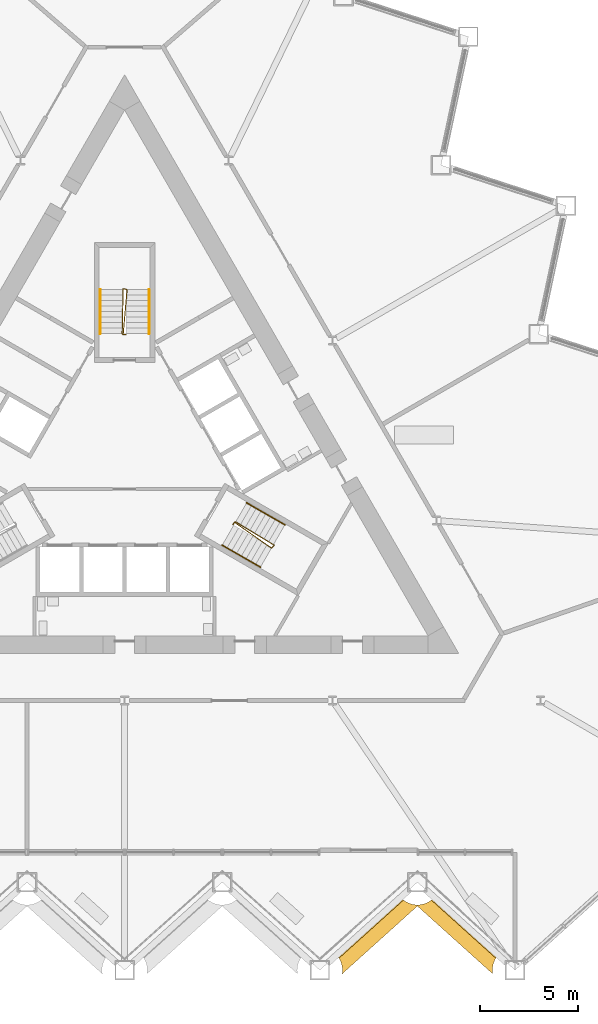
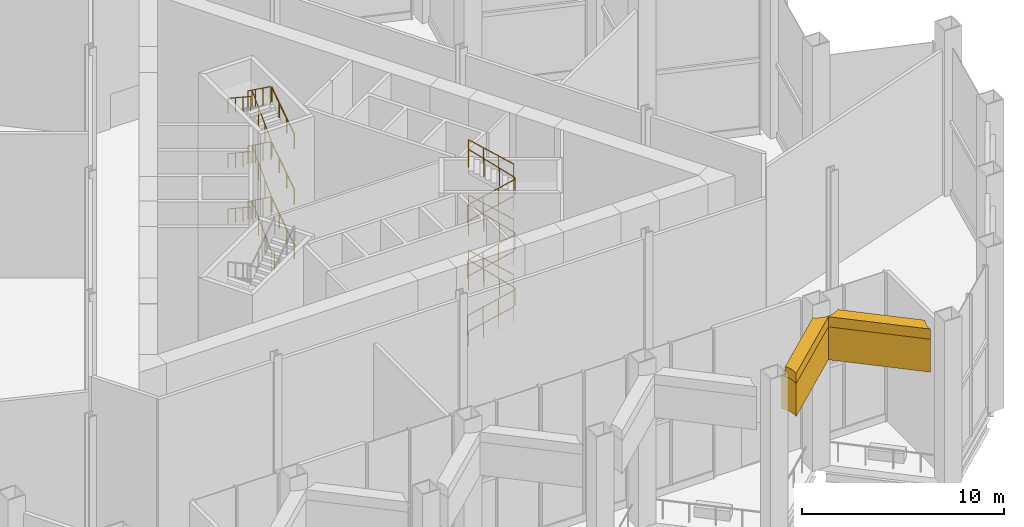
# One storey, part 15 of 17: 14 railings, 2 coverings.
"""IFC4 building model written with IfcOpenShell, lengths in metres."""

from ifc_helpers import new_model, si_unit, direction, frame, origin, origin_2d, place, context, subcontext, project, spatial, polyline, circle, outline, extrude, material, layer, layer_set, type_object, element, save


model = new_model("IFC4")

# Units and contexts
model_context = context("Model", 3, precision=1e-05, world=origin(), true_north=direction((0.0, 1.0)))
body_context = subcontext(model_context, "Body", "Model", "MODEL_VIEW")
ifc_project = project(units=[si_unit("LENGTHUNIT", "METRE"), si_unit("AREAUNIT", "SQUARE_METRE"), si_unit("VOLUMEUNIT", "CUBIC_METRE"), si_unit("PLANEANGLEUNIT", "RADIAN"), si_unit("MASSUNIT", "GRAM", prefix="KILO")], contexts=[model_context])

# Site, building, storey
site_placement = place(None, origin())
site = spatial("IfcSite", under=ifc_project, at=site_placement, CompositionType="ELEMENT")
building_placement = place(site_placement, origin())
building = spatial("IfcBuilding", under=site, at=building_placement, Name="Cormorant Prow Tower", CompositionType="ELEMENT")
storey_placement = place(building_placement, frame((0.0, 0.0, 84.60009765625)))
storey = spatial("IfcBuildingStorey", under=building, at=storey_placement, Name="L18", CompositionType="ELEMENT", Elevation=84.60009765625)

# Railings
ifc_material_1 = material(Name="Stainless steel", Category="steel")
railing_type_1 = type_object("IfcRailingType", Name="Stair guard 1100", PredefinedType="GUARDRAIL", material=ifc_material_1)
railing_1_placement = place(storey_placement, frame((5.510009765625, -3.267822265625, 0.0)))
element("IfcRailing", 1, at=railing_1_placement, inside=storey, type_object=railing_type_1, Name="L18 ST2 stair guard 1", PredefinedType="GUARDRAIL", context=body_context, shape_type="SweptSolid", body=[
    extrude(circle(Radius=0.02392578125, at=origin_2d()), frame((0.0, 0.0, 1.076171875), z_axis=(0.501036270542, 0.865426285481, 0.0), x_axis=(-0.865426285481, 0.501036270542, 0.0)), (0.0, 0.0, 1.0), 0.150146484375),
    extrude(circle(Radius=0.02392578125, at=origin_2d()), frame((0.0751953125, 0.1298828125, 1.076171875), z_axis=(0.663255151256, -0.464270006694, 0.586980378902), x_axis=(0.573455215813, 0.819236910458, 0.0)), (0.0, 0.0, 1.0), 2.839111328125),
    extrude(circle(Radius=0.02392578125, at=origin_2d()), frame((1.958251953125, -1.188232421875, 2.74267578125), z_axis=(0.695164929852, 0.718850276695, 0.0), x_axis=(-0.718850276695, 0.695164929852, 0.0)), (0.0, 0.0, 1.0), 0.2060546875),
    extrude(circle(Radius=0.02392578125, at=origin_2d()), frame((2.1015625, -1.0400390625, 2.74267578125), z_axis=(-0.69128044623, 0.419456667722, 0.588376961278), x_axis=(-0.518752825935, -0.854924268918, 0.0)), (0.0, 0.0, 1.0), 2.832763671875),
    extrude(circle(Radius=0.02392578125, at=origin_2d()), frame((0.143310546875, 0.148193359375, 4.4091796875), z_axis=(-0.965715946433, -0.259601060869, 0.0), x_axis=(0.259601060869, -0.965715946433, 0.0)), (0.0, 0.0, 1.0), 0.070556640625),
    extrude(circle(Radius=0.02392578125, at=origin_2d()), frame((0.0751953125, 0.1298828125, 4.4091796875), z_axis=(0.663221673184, -0.464246572478, 0.587036738341), x_axis=(0.573455215813, 0.819236910458, 0.0)), (0.0, 0.0, 1.0), 2.83935546875),
    extrude(circle(Radius=0.02392578125, at=origin_2d()), frame((1.958251953125, -1.188232421875, 6.076171875), z_axis=(0.695164929852, 0.718850276695, 0.0), x_axis=(-0.718850276695, 0.695164929852, 0.0)), (0.0, 0.0, 1.0), 0.2060546875),
    extrude(circle(Radius=0.02392578125, at=origin_2d()), frame((2.1015625, -1.0400390625, 6.076171875), z_axis=(-0.691315500176, 0.419477937833, 0.588320608927), x_axis=(-0.518752825935, -0.854924268918, 0.0)), (0.0, 0.0, 1.0), 2.832763671875),
    extrude(circle(Radius=0.02392578125, at=origin_2d()), frame((0.143310546875, 0.148193359375, 7.74267578125), z_axis=(-0.965715946433, -0.259601060869, 0.0), x_axis=(0.259601060869, -0.965715946433, 0.0)), (0.0, 0.0, 1.0), 0.070556640625),
    extrude(circle(Radius=0.02392578125, at=origin_2d()), frame((0.0751953125, 0.1298828125, 7.74267578125), z_axis=(0.663221673184, -0.464246572478, 0.587036738341), x_axis=(0.573455215813, 0.819236910458, 0.0)), (0.0, 0.0, 1.0), 2.83935546875),
    extrude(circle(Radius=0.02392578125, at=origin_2d()), frame((1.958251953125, -1.188232421875, 9.4091796875), z_axis=(0.695164929852, 0.718850276695, 0.0), x_axis=(-0.718850276695, 0.695164929852, 0.0)), (0.0, 0.0, 1.0), 0.2060546875),
    extrude(circle(Radius=0.02392578125, at=origin_2d()), frame((2.1015625, -1.0400390625, 9.4091796875), z_axis=(-0.69128044623, 0.419456667722, 0.588376961278), x_axis=(-0.518752825935, -0.854924268918, 0.0)), (0.0, 0.0, 1.0), 2.832763671875),
    extrude(circle(Radius=0.02099609375, at=origin_2d()), origin(), (0.0, 0.0, 1.0), 1.052001953125),
    extrude(circle(Radius=0.02099609375, at=origin_2d()), frame((0.0751953125, 0.1298828125, 0.0)), (0.0, 0.0, 1.0), 1.052001953125),
    extrude(circle(Radius=0.02099609375, at=origin_2d()), frame((0.702880859375, -0.3095703125, 0.555419921875)), (0.0, 0.0, 1.0), 1.052001953125),
    extrude(circle(Radius=0.02099609375, at=origin_2d()), frame((1.33056640625, -0.748779296875, 1.111083984375)), (0.0, 0.0, 1.0), 1.052001953125),
    extrude(circle(Radius=0.02099609375, at=origin_2d()), frame((1.958251953125, -1.188232421875, 1.66650390625)), (0.0, 0.0, 1.0), 1.052001953125),
    extrude(circle(Radius=0.02099609375, at=origin_2d()), frame((2.1015625, -1.0400390625, 1.66650390625)), (0.0, 0.0, 1.0), 1.052001953125),
    extrude(circle(Radius=0.02099609375, at=origin_2d()), frame((1.44873046875, -0.64404296875, 2.22216796875)), (0.0, 0.0, 1.0), 1.052001953125),
    extrude(circle(Radius=0.02099609375, at=origin_2d()), frame((0.796142578125, -0.247802734375, 2.777587890625)), (0.0, 0.0, 1.0), 1.052001953125),
    extrude(circle(Radius=0.02099609375, at=origin_2d()), frame((0.143310546875, 0.148193359375, 3.333251953125)), (0.0, 0.0, 1.0), 1.052001953125),
    extrude(circle(Radius=0.02099609375, at=origin_2d()), frame((0.0751953125, 0.1298828125, 3.333251953125)), (0.0, 0.0, 1.0), 1.052001953125),
    extrude(circle(Radius=0.02099609375, at=origin_2d()), frame((0.702880859375, -0.3095703125, 3.888916015625)), (0.0, 0.0, 1.0), 1.052001953125),
    extrude(circle(Radius=0.02099609375, at=origin_2d()), frame((1.33056640625, -0.748779296875, 4.4443359375)), (0.0, 0.0, 1.0), 1.052001953125),
    extrude(circle(Radius=0.02099609375, at=origin_2d()), frame((1.958251953125, -1.188232421875, 5.0)), (0.0, 0.0, 1.0), 1.052001953125),
    extrude(circle(Radius=0.02099609375, at=origin_2d()), frame((2.1015625, -1.0400390625, 5.0)), (0.0, 0.0, 1.0), 1.052001953125),
    extrude(circle(Radius=0.02099609375, at=origin_2d()), frame((1.44873046875, -0.64404296875, 5.555419921875)), (0.0, 0.0, 1.0), 1.052001953125),
    extrude(circle(Radius=0.02099609375, at=origin_2d()), frame((0.796142578125, -0.247802734375, 6.111083984375)), (0.0, 0.0, 1.0), 1.052001953125),
    extrude(circle(Radius=0.02099609375, at=origin_2d()), frame((0.143310546875, 0.148193359375, 6.66650390625)), (0.0, 0.0, 1.0), 1.052001953125),
    extrude(circle(Radius=0.02099609375, at=origin_2d()), frame((0.0751953125, 0.1298828125, 6.66650390625)), (0.0, 0.0, 1.0), 1.052001953125),
    extrude(circle(Radius=0.02099609375, at=origin_2d()), frame((0.702880859375, -0.3095703125, 7.22216796875)), (0.0, 0.0, 1.0), 1.052001953125),
    extrude(circle(Radius=0.02099609375, at=origin_2d()), frame((1.33056640625, -0.748779296875, 7.777587890625)), (0.0, 0.0, 1.0), 1.052001953125),
    extrude(circle(Radius=0.02099609375, at=origin_2d()), frame((1.958251953125, -1.188232421875, 8.333251953125)), (0.0, 0.0, 1.0), 1.052001953125),
    extrude(circle(Radius=0.02099609375, at=origin_2d()), frame((2.1015625, -1.0400390625, 8.333251953125)), (0.0, 0.0, 1.0), 1.052001953125),
    extrude(circle(Radius=0.02099609375, at=origin_2d()), frame((1.44873046875, -0.64404296875, 8.888916015625)), (0.0, 0.0, 1.0), 1.052001953125),
    extrude(circle(Radius=0.02099609375, at=origin_2d()), frame((0.796142578125, -0.247802734375, 9.4443359375)), (0.0, 0.0, 1.0), 1.052001953125),
    extrude(circle(Radius=0.02099609375, at=origin_2d()), frame((0.143310546875, 0.148193359375, 10.0)), (0.0, 0.0, 1.0), 1.052001953125),
])
railing_2_placement = place(storey_placement, frame((0.074951171875, 6.40576171875, 0.0)))
element("IfcRailing", 2, at=railing_2_placement, inside=storey, type_object=railing_type_1, Name="L18 ST3 stair guard 1", PredefinedType="GUARDRAIL", context=body_context, shape_type="SweptSolid", body=[
    extrude(circle(Radius=0.02392578125, at=origin_2d()), frame((0.0, 0.0, 1.076171875), z_axis=(-1.0, 0.0, 0.0), x_axis=(0.0, -1.0, 0.0)), (0.0, 0.0, 1.0), 0.14990234375),
    extrude(circle(Radius=0.02392578125, at=origin_2d()), frame((-0.14990234375, 0.0, 1.076171875), z_axis=(0.070423267043, 0.80655707553, 0.586946545583), x_axis=(-0.996209839609, 0.086982500921, 0.0)), (0.0, 0.0, 1.0), 2.83935546875),
    extrude(circle(Radius=0.02392578125, at=origin_2d()), frame((0.050048828125, 2.2900390625, 2.74267578125), z_axis=(-0.970072785993, 0.242814311512, 0.0), x_axis=(-0.242814311512, -0.970072785993, 0.0)), (0.0, 0.0, 1.0), 0.2060546875),
    extrude(circle(Radius=0.02392578125, at=origin_2d()), frame((-0.14990234375, 2.340087890625, 2.74267578125), z_axis=(-0.017667533181, -0.80839737189, 0.58837194647), x_axis=(0.999761264773, -0.0218497931, 0.0)), (0.0, 0.0, 1.0), 2.832763671875),
    extrude(circle(Radius=0.02392578125, at=origin_2d()), frame((-0.199951171875, 0.050048828125, 4.4091796875), z_axis=(0.707106781187, -0.707106781187, 0.0), x_axis=(0.707106781187, 0.707106781187, 0.0)), (0.0, 0.0, 1.0), 0.07080078125),
    extrude(circle(Radius=0.02392578125, at=origin_2d()), frame((-0.14990234375, 0.0, 4.4091796875), z_axis=(0.070419712809, 0.806516368928, 0.587002905189), x_axis=(-0.996209839609, 0.086982500921, 0.0)), (0.0, 0.0, 1.0), 2.83935546875),
    extrude(circle(Radius=0.02392578125, at=origin_2d()), frame((0.050048828125, 2.2900390625, 6.076171875), z_axis=(-0.970072785993, 0.242814311512, 0.0), x_axis=(-0.242814311512, -0.970072785993, 0.0)), (0.0, 0.0, 1.0), 0.2060546875),
    extrude(circle(Radius=0.02392578125, at=origin_2d()), frame((-0.14990234375, 2.340087890625, 6.076171875), z_axis=(-0.017668429064, -0.808438363986, 0.58831559409), x_axis=(0.999761264773, -0.0218497931, 0.0)), (0.0, 0.0, 1.0), 2.832763671875),
    extrude(circle(Radius=0.02392578125, at=origin_2d()), frame((-0.199951171875, 0.050048828125, 7.74267578125), z_axis=(0.707106781187, -0.707106781187, 0.0), x_axis=(0.707106781187, 0.707106781187, 0.0)), (0.0, 0.0, 1.0), 0.07080078125),
    extrude(circle(Radius=0.02392578125, at=origin_2d()), frame((-0.14990234375, 0.0, 7.74267578125), z_axis=(0.070419712809, 0.806516368928, 0.587002905189), x_axis=(-0.996209839609, 0.086982500921, 0.0)), (0.0, 0.0, 1.0), 2.83935546875),
    extrude(circle(Radius=0.02392578125, at=origin_2d()), frame((0.050048828125, 2.2900390625, 9.4091796875), z_axis=(-0.970072785993, 0.242814311512, 0.0), x_axis=(-0.242814311512, -0.970072785993, 0.0)), (0.0, 0.0, 1.0), 0.2060546875),
    extrude(circle(Radius=0.02392578125, at=origin_2d()), frame((-0.14990234375, 2.340087890625, 9.4091796875), z_axis=(-0.017667533181, -0.80839737189, 0.58837194647), x_axis=(0.999761264773, -0.0218497931, 0.0)), (0.0, 0.0, 1.0), 2.832763671875),
    extrude(circle(Radius=0.02099609375, at=origin_2d()), origin(), (0.0, 0.0, 1.0), 1.052001953125),
    extrude(circle(Radius=0.02099609375, at=origin_2d()), frame((-0.14990234375, 0.0, 0.0)), (0.0, 0.0, 1.0), 1.052001953125),
    extrude(circle(Radius=0.02099609375, at=origin_2d()), frame((-0.083251953125, 0.763427734375, 0.555419921875)), (0.0, 0.0, 1.0), 1.052001953125),
    extrude(circle(Radius=0.02099609375, at=origin_2d()), frame((-0.0166015625, 1.526611328125, 1.111083984375)), (0.0, 0.0, 1.0), 1.052001953125),
    extrude(circle(Radius=0.02099609375, at=origin_2d()), frame((0.050048828125, 2.2900390625, 1.66650390625)), (0.0, 0.0, 1.0), 1.052001953125),
    extrude(circle(Radius=0.02099609375, at=origin_2d()), frame((-0.14990234375, 2.340087890625, 1.66650390625)), (0.0, 0.0, 1.0), 1.052001953125),
    extrude(circle(Radius=0.02099609375, at=origin_2d()), frame((-0.16650390625, 1.57666015625, 2.22216796875)), (0.0, 0.0, 1.0), 1.052001953125),
    extrude(circle(Radius=0.02099609375, at=origin_2d()), frame((-0.183349609375, 0.8134765625, 2.777587890625)), (0.0, 0.0, 1.0), 1.052001953125),
    extrude(circle(Radius=0.02099609375, at=origin_2d()), frame((-0.199951171875, 0.050048828125, 3.333251953125)), (0.0, 0.0, 1.0), 1.052001953125),
    extrude(circle(Radius=0.02099609375, at=origin_2d()), frame((-0.14990234375, 0.0, 3.333251953125)), (0.0, 0.0, 1.0), 1.052001953125),
    extrude(circle(Radius=0.02099609375, at=origin_2d()), frame((-0.083251953125, 0.763427734375, 3.888916015625)), (0.0, 0.0, 1.0), 1.052001953125),
    extrude(circle(Radius=0.02099609375, at=origin_2d()), frame((-0.0166015625, 1.526611328125, 4.4443359375)), (0.0, 0.0, 1.0), 1.052001953125),
    extrude(circle(Radius=0.02099609375, at=origin_2d()), frame((0.050048828125, 2.2900390625, 5.0)), (0.0, 0.0, 1.0), 1.052001953125),
    extrude(circle(Radius=0.02099609375, at=origin_2d()), frame((-0.14990234375, 2.340087890625, 5.0)), (0.0, 0.0, 1.0), 1.052001953125),
    extrude(circle(Radius=0.02099609375, at=origin_2d()), frame((-0.16650390625, 1.57666015625, 5.555419921875)), (0.0, 0.0, 1.0), 1.052001953125),
    extrude(circle(Radius=0.02099609375, at=origin_2d()), frame((-0.183349609375, 0.8134765625, 6.111083984375)), (0.0, 0.0, 1.0), 1.052001953125),
    extrude(circle(Radius=0.02099609375, at=origin_2d()), frame((-0.199951171875, 0.050048828125, 6.66650390625)), (0.0, 0.0, 1.0), 1.052001953125),
    extrude(circle(Radius=0.02099609375, at=origin_2d()), frame((-0.14990234375, 0.0, 6.66650390625)), (0.0, 0.0, 1.0), 1.052001953125),
    extrude(circle(Radius=0.02099609375, at=origin_2d()), frame((-0.083251953125, 0.763427734375, 7.22216796875)), (0.0, 0.0, 1.0), 1.052001953125),
    extrude(circle(Radius=0.02099609375, at=origin_2d()), frame((-0.0166015625, 1.526611328125, 7.777587890625)), (0.0, 0.0, 1.0), 1.052001953125),
    extrude(circle(Radius=0.02099609375, at=origin_2d()), frame((0.050048828125, 2.2900390625, 8.333251953125)), (0.0, 0.0, 1.0), 1.052001953125),
    extrude(circle(Radius=0.02099609375, at=origin_2d()), frame((-0.14990234375, 2.340087890625, 8.333251953125)), (0.0, 0.0, 1.0), 1.052001953125),
    extrude(circle(Radius=0.02099609375, at=origin_2d()), frame((-0.16650390625, 1.57666015625, 8.888916015625)), (0.0, 0.0, 1.0), 1.052001953125),
    extrude(circle(Radius=0.02099609375, at=origin_2d()), frame((-0.183349609375, 0.8134765625, 9.4443359375)), (0.0, 0.0, 1.0), 1.052001953125),
    extrude(circle(Radius=0.02099609375, at=origin_2d()), frame((-0.199951171875, 0.050048828125, 10.0)), (0.0, 0.0, 1.0), 1.052001953125),
])
ifc_material_2 = material(Name="Stainless steel", Category="steel")
railing_type_2 = type_object("IfcRailingType", Name="Stair handrail 900", PredefinedType="HANDRAIL", material=ifc_material_2)
railing_3_placement = place(storey_placement, frame((4.968994140625, -4.30517578125, 0.18505859375)))
element("IfcRailing", 3, at=railing_3_placement, inside=storey, type_object=railing_type_2, Name="L18 ST2 stair handrail 1", PredefinedType="HANDRAIL", context=body_context, shape_type="SweptSolid", body=[
    extrude(circle(Radius=0.02392578125, at=origin_2d()), frame((0.0, 0.0, 0.8759765625), z_axis=(0.72229244732, -0.417102296828, 0.551651424838), x_axis=(0.500077830873, 0.865980463445, 0.0)), (0.0, 0.0, 1.0), 2.685546875),
    extrude(circle(Radius=0.02099609375, at=origin_2d()), origin(), (0.0, 0.0, 1.0), 0.851806640625),
    extrude(circle(Radius=0.02099609375, at=origin_2d()), frame((0.646484375, -0.373291015625, 0.493896484375)), (0.0, 0.0, 1.0), 0.851806640625),
    extrude(circle(Radius=0.02099609375, at=origin_2d()), frame((1.293212890625, -0.746826171875, 0.987548828125)), (0.0, 0.0, 1.0), 0.851806640625),
    extrude(circle(Radius=0.02099609375, at=origin_2d()), frame((1.939697265625, -1.1201171875, 1.4814453125)), (0.0, 0.0, 1.0), 0.851806640625),
])
railing_4_placement = place(storey_placement, frame((8.15283203125, -3.2705078125, 1.851806640625)))
element("IfcRailing", 4, at=railing_4_placement, inside=storey, type_object=railing_type_2, Name="L18 ST2 stair handrail 2", PredefinedType="HANDRAIL", context=body_context, shape_type="SweptSolid", body=[
    extrude(circle(Radius=0.02392578125, at=origin_2d()), frame((0.0, 0.0, 0.8759765625), z_axis=(-0.722363311002, 0.416999812178, 0.551636115172), x_axis=(-0.49994888933, -0.866054910533, 0.0)), (0.0, 0.0, 1.0), 2.685546875),
    extrude(circle(Radius=0.02099609375, at=origin_2d()), origin(), (0.0, 0.0, 1.0), 0.851806640625),
    extrude(circle(Radius=0.02099609375, at=origin_2d()), frame((-0.646728515625, 0.373291015625, 0.493896484375)), (0.0, 0.0, 1.0), 0.851806640625),
    extrude(circle(Radius=0.02099609375, at=origin_2d()), frame((-1.293212890625, 0.74658203125, 0.987548828125)), (0.0, 0.0, 1.0), 0.851806640625),
    extrude(circle(Radius=0.02099609375, at=origin_2d()), frame((-1.93994140625, 1.119873046875, 1.4814453125)), (0.0, 0.0, 1.0), 0.851806640625),
])
railing_5_placement = place(storey_placement, frame((4.968994140625, -4.30517578125, 3.518310546875)))
element("IfcRailing", 5, at=railing_5_placement, inside=storey, type_object=railing_type_2, Name="L18 ST2 stair handrail 3", PredefinedType="HANDRAIL", context=body_context, shape_type="SweptSolid", body=[
    extrude(circle(Radius=0.02392578125, at=origin_2d()), frame((0.0, 0.0, 0.8759765625), z_axis=(0.722256223011, -0.417081378373, 0.551714665507), x_axis=(0.500077830873, 0.865980463445, 0.0)), (0.0, 0.0, 1.0), 2.685546875),
    extrude(circle(Radius=0.02099609375, at=origin_2d()), origin(), (0.0, 0.0, 1.0), 0.851806640625),
    extrude(circle(Radius=0.02099609375, at=origin_2d()), frame((0.646484375, -0.373291015625, 0.493896484375)), (0.0, 0.0, 1.0), 0.851806640625),
    extrude(circle(Radius=0.02099609375, at=origin_2d()), frame((1.293212890625, -0.746826171875, 0.98779296875)), (0.0, 0.0, 1.0), 0.851806640625),
    extrude(circle(Radius=0.02099609375, at=origin_2d()), frame((1.939697265625, -1.1201171875, 1.481689453125)), (0.0, 0.0, 1.0), 0.851806640625),
])
railing_6_placement = place(storey_placement, frame((8.15283203125, -3.2705078125, 5.18505859375)))
element("IfcRailing", 6, at=railing_6_placement, inside=storey, type_object=railing_type_2, Name="L18 ST2 stair handrail 4", PredefinedType="HANDRAIL", context=body_context, shape_type="SweptSolid", body=[
    extrude(circle(Radius=0.02392578125, at=origin_2d()), frame((0.0, 0.0, 0.8759765625), z_axis=(-0.722363311002, 0.416999812178, 0.551636115172), x_axis=(-0.49994888933, -0.866054910533, 0.0)), (0.0, 0.0, 1.0), 2.685546875),
    extrude(circle(Radius=0.02099609375, at=origin_2d()), origin(), (0.0, 0.0, 1.0), 0.851806640625),
    extrude(circle(Radius=0.02099609375, at=origin_2d()), frame((-0.646728515625, 0.373291015625, 0.493896484375)), (0.0, 0.0, 1.0), 0.851806640625),
    extrude(circle(Radius=0.02099609375, at=origin_2d()), frame((-1.293212890625, 0.74658203125, 0.987548828125)), (0.0, 0.0, 1.0), 0.851806640625),
    extrude(circle(Radius=0.02099609375, at=origin_2d()), frame((-1.93994140625, 1.119873046875, 1.4814453125)), (0.0, 0.0, 1.0), 0.851806640625),
])
railing_7_placement = place(storey_placement, frame((4.968994140625, -4.30517578125, 6.851806640625)))
element("IfcRailing", 7, at=railing_7_placement, inside=storey, type_object=railing_type_2, Name="L18 ST2 stair handrail 5", PredefinedType="HANDRAIL", context=body_context, shape_type="SweptSolid", body=[
    extrude(circle(Radius=0.02392578125, at=origin_2d()), frame((0.0, 0.0, 0.8759765625), z_axis=(0.72229244732, -0.417102296828, 0.551651424838), x_axis=(0.500077830873, 0.865980463445, 0.0)), (0.0, 0.0, 1.0), 2.685546875),
    extrude(circle(Radius=0.02099609375, at=origin_2d()), origin(), (0.0, 0.0, 1.0), 0.851806640625),
    extrude(circle(Radius=0.02099609375, at=origin_2d()), frame((0.646484375, -0.373291015625, 0.493896484375)), (0.0, 0.0, 1.0), 0.851806640625),
    extrude(circle(Radius=0.02099609375, at=origin_2d()), frame((1.293212890625, -0.746826171875, 0.987548828125)), (0.0, 0.0, 1.0), 0.851806640625),
    extrude(circle(Radius=0.02099609375, at=origin_2d()), frame((1.939697265625, -1.1201171875, 1.4814453125)), (0.0, 0.0, 1.0), 0.851806640625),
])
railing_8_placement = place(storey_placement, frame((8.15283203125, -3.2705078125, 8.518310546875)))
element("IfcRailing", 8, at=railing_8_placement, inside=storey, type_object=railing_type_2, Name="L18 ST2 stair handrail 6", PredefinedType="HANDRAIL", context=body_context, shape_type="SweptSolid", body=[
    extrude(circle(Radius=0.02392578125, at=origin_2d()), frame((0.0, 0.0, 0.8759765625), z_axis=(-0.72232708515, 0.416978900023, 0.551699355622), x_axis=(-0.49994888933, -0.866054910533, 0.0)), (0.0, 0.0, 1.0), 2.685791015625),
    extrude(circle(Radius=0.02099609375, at=origin_2d()), origin(), (0.0, 0.0, 1.0), 0.851806640625),
    extrude(circle(Radius=0.02099609375, at=origin_2d()), frame((-0.646728515625, 0.373291015625, 0.493896484375)), (0.0, 0.0, 1.0), 0.851806640625),
    extrude(circle(Radius=0.02099609375, at=origin_2d()), frame((-1.293212890625, 0.74658203125, 0.98779296875)), (0.0, 0.0, 1.0), 0.851806640625),
    extrude(circle(Radius=0.02099609375, at=origin_2d()), frame((-1.93994140625, 1.119873046875, 1.481689453125)), (0.0, 0.0, 1.0), 0.851806640625),
])
railing_9_placement = place(storey_placement, frame((1.243896484375, 6.455810546875, 0.18505859375)))
element("IfcRailing", 9, at=railing_9_placement, inside=storey, type_object=railing_type_2, Name="L18 ST3 stair handrail 1", PredefinedType="HANDRAIL", context=body_context, shape_type="SweptSolid", body=[
    extrude(circle(Radius=0.02392578125, at=origin_2d()), frame((0.0, 0.0, 0.8759765625), z_axis=(0.0, 0.83408660425, 0.551633516577), x_axis=(-1.0, 0.0, 0.0)), (0.0, 0.0, 1.0), 2.685546875),
    extrude(circle(Radius=0.02099609375, at=origin_2d()), origin(), (0.0, 0.0, 1.0), 0.851806640625),
    extrude(circle(Radius=0.02099609375, at=origin_2d()), frame((0.0, 0.74658203125, 0.493896484375)), (0.0, 0.0, 1.0), 0.851806640625),
    extrude(circle(Radius=0.02099609375, at=origin_2d()), frame((0.0, 1.493408203125, 0.987548828125)), (0.0, 0.0, 1.0), 0.851806640625),
    extrude(circle(Radius=0.02099609375, at=origin_2d()), frame((0.0, 2.239990234375, 1.4814453125)), (0.0, 0.0, 1.0), 0.851806640625),
])
railing_10_placement = place(storey_placement, frame((-1.243896484375, 8.69580078125, 1.851806640625)))
element("IfcRailing", 10, at=railing_10_placement, inside=storey, type_object=railing_type_2, Name="L18 ST3 stair handrail 2", PredefinedType="HANDRAIL", context=body_context, shape_type="SweptSolid", body=[
    extrude(circle(Radius=0.02392578125, at=origin_2d()), frame((0.0, 0.0, 0.8759765625), z_axis=(0.0, -0.83408660425, 0.551633516577), x_axis=(1.0, 0.0, 0.0)), (0.0, 0.0, 1.0), 2.685546875),
    extrude(circle(Radius=0.02099609375, at=origin_2d()), origin(), (0.0, 0.0, 1.0), 0.851806640625),
    extrude(circle(Radius=0.02099609375, at=origin_2d()), frame((0.0, -0.74658203125, 0.493896484375)), (0.0, 0.0, 1.0), 0.851806640625),
    extrude(circle(Radius=0.02099609375, at=origin_2d()), frame((0.0, -1.493408203125, 0.987548828125)), (0.0, 0.0, 1.0), 0.851806640625),
    extrude(circle(Radius=0.02099609375, at=origin_2d()), frame((0.0, -2.239990234375, 1.4814453125)), (0.0, 0.0, 1.0), 0.851806640625),
])
railing_11_placement = place(storey_placement, frame((1.243896484375, 6.455810546875, 3.518310546875)))
element("IfcRailing", 11, at=railing_11_placement, inside=storey, type_object=railing_type_2, Name="L18 ST3 stair handrail 3", PredefinedType="HANDRAIL", context=body_context, shape_type="SweptSolid", body=[
    extrude(circle(Radius=0.02392578125, at=origin_2d()), frame((0.0, 0.0, 0.8759765625), z_axis=(0.0, 0.834044775973, 0.551696756989), x_axis=(-1.0, 0.0, 0.0)), (0.0, 0.0, 1.0), 2.685791015625),
    extrude(circle(Radius=0.02099609375, at=origin_2d()), origin(), (0.0, 0.0, 1.0), 0.851806640625),
    extrude(circle(Radius=0.02099609375, at=origin_2d()), frame((0.0, 0.74658203125, 0.493896484375)), (0.0, 0.0, 1.0), 0.851806640625),
    extrude(circle(Radius=0.02099609375, at=origin_2d()), frame((0.0, 1.493408203125, 0.98779296875)), (0.0, 0.0, 1.0), 0.851806640625),
    extrude(circle(Radius=0.02099609375, at=origin_2d()), frame((0.0, 2.239990234375, 1.481689453125)), (0.0, 0.0, 1.0), 0.851806640625),
])
railing_12_placement = place(storey_placement, frame((-1.243896484375, 8.69580078125, 5.18505859375)))
element("IfcRailing", 12, at=railing_12_placement, inside=storey, type_object=railing_type_2, Name="L18 ST3 stair handrail 4", PredefinedType="HANDRAIL", context=body_context, shape_type="SweptSolid", body=[
    extrude(circle(Radius=0.02392578125, at=origin_2d()), frame((0.0, 0.0, 0.8759765625), z_axis=(0.0, -0.83408660425, 0.551633516577), x_axis=(1.0, 0.0, 0.0)), (0.0, 0.0, 1.0), 2.685546875),
    extrude(circle(Radius=0.02099609375, at=origin_2d()), origin(), (0.0, 0.0, 1.0), 0.851806640625),
    extrude(circle(Radius=0.02099609375, at=origin_2d()), frame((0.0, -0.74658203125, 0.493896484375)), (0.0, 0.0, 1.0), 0.851806640625),
    extrude(circle(Radius=0.02099609375, at=origin_2d()), frame((0.0, -1.493408203125, 0.987548828125)), (0.0, 0.0, 1.0), 0.851806640625),
    extrude(circle(Radius=0.02099609375, at=origin_2d()), frame((0.0, -2.239990234375, 1.4814453125)), (0.0, 0.0, 1.0), 0.851806640625),
])
railing_13_placement = place(storey_placement, frame((1.243896484375, 6.455810546875, 6.851806640625)))
element("IfcRailing", 13, at=railing_13_placement, inside=storey, type_object=railing_type_2, Name="L18 ST3 stair handrail 5", PredefinedType="HANDRAIL", context=body_context, shape_type="SweptSolid", body=[
    extrude(circle(Radius=0.02392578125, at=origin_2d()), frame((0.0, 0.0, 0.8759765625), z_axis=(0.0, 0.83408660425, 0.551633516577), x_axis=(-1.0, 0.0, 0.0)), (0.0, 0.0, 1.0), 2.685546875),
    extrude(circle(Radius=0.02099609375, at=origin_2d()), origin(), (0.0, 0.0, 1.0), 0.851806640625),
    extrude(circle(Radius=0.02099609375, at=origin_2d()), frame((0.0, 0.74658203125, 0.493896484375)), (0.0, 0.0, 1.0), 0.851806640625),
    extrude(circle(Radius=0.02099609375, at=origin_2d()), frame((0.0, 1.493408203125, 0.987548828125)), (0.0, 0.0, 1.0), 0.851806640625),
    extrude(circle(Radius=0.02099609375, at=origin_2d()), frame((0.0, 2.239990234375, 1.4814453125)), (0.0, 0.0, 1.0), 0.851806640625),
])
railing_14_placement = place(storey_placement, frame((-1.243896484375, 8.69580078125, 8.518310546875)))
element("IfcRailing", 14, at=railing_14_placement, inside=storey, type_object=railing_type_2, Name="L18 ST3 stair handrail 6", PredefinedType="HANDRAIL", context=body_context, shape_type="SweptSolid", body=[
    extrude(circle(Radius=0.02392578125, at=origin_2d()), frame((0.0, 0.0, 0.8759765625), z_axis=(0.0, -0.834044775973, 0.551696756989), x_axis=(1.0, 0.0, 0.0)), (0.0, 0.0, 1.0), 2.685791015625),
    extrude(circle(Radius=0.02099609375, at=origin_2d()), origin(), (0.0, 0.0, 1.0), 0.851806640625),
    extrude(circle(Radius=0.02099609375, at=origin_2d()), frame((0.0, -0.74658203125, 0.493896484375)), (0.0, 0.0, 1.0), 0.851806640625),
    extrude(circle(Radius=0.02099609375, at=origin_2d()), frame((0.0, -1.493408203125, 0.98779296875)), (0.0, 0.0, 1.0), 0.851806640625),
    extrude(circle(Radius=0.02099609375, at=origin_2d()), frame((0.0, -2.239990234375, 1.481689453125)), (0.0, 0.0, 1.0), 0.851806640625),
])

# Coverings
ifc_material_3 = material(Name="Terracotta", Category="masonry")
ifc_layer = layer(ifc_material_3, 0.89990234375)
ifc_layer_set = layer_set([ifc_layer], Name="Terracotta")
covering_type = type_object("IfcCoveringType", Name="Terrace lintel fascia 900", PredefinedType="CLADDING", material=ifc_layer_set)
covering_1_placement = place(storey_placement, frame((0.0, 0.0, 7.0)))
element("IfcCovering", 15, at=covering_1_placement, inside=storey, type_object=covering_type, Name="Terrace lintel L18 part 2", PredefinedType="CLADDING", context=body_context, shape_type="SweptSolid", body=[
    extrude(outline(polyline([(14.044677734375, -22.228515625), (14.0849609375, -22.273193359375), (14.168701171875, -22.348876953125), (14.25927734375, -22.416015625), (14.356201171875, -22.47412109375), (14.4580078125, -22.5224609375), (14.564453125, -22.560302734375), (14.673828125, -22.587890625), (14.785400390625, -22.6044921875), (14.898193359375, -22.60986328125), (15.010986328125, -22.6044921875), (15.12255859375, -22.587890625), (15.23193359375, -22.560302734375), (15.33837890625, -22.5224609375), (15.440185546875, -22.47412109375), (15.537109375, -22.416015625), (15.627685546875, -22.348876953125), (15.71142578125, -22.273193359375), (15.751708984375, -22.228515625), (19.0107421875, -25.162841796875), (18.975341796875, -25.201904296875), (18.908203125, -25.29248046875), (18.85009765625, -25.389404296875), (18.8017578125, -25.4912109375), (18.763916015625, -25.59765625), (18.736328125, -25.70703125), (18.7197265625, -25.818603515625), (18.71435546875, -25.931396484375), (18.7197265625, -26.044189453125), (18.7314453125, -26.122314453125), (14.898193359375, -22.6708984375), (11.06494140625, -26.122314453125), (11.07666015625, -26.044189453125), (11.08203125, -25.931396484375), (11.07666015625, -25.818603515625), (11.06005859375, -25.70703125), (11.03271484375, -25.59765625), (10.99462890625, -25.4912109375), (10.9462890625, -25.389404296875), (10.88818359375, -25.29248046875), (10.821044921875, -25.201904296875), (10.78564453125, -25.162841796875), (14.044677734375, -22.228515625)])), origin(), (0.0, 0.0, 1.0), 1.98876953125),
])
covering_2_placement = place(storey_placement, frame((0.0, 0.0, 8.98876953125)))
element("IfcCovering", 16, at=covering_2_placement, inside=storey, type_object=covering_type, Name="Terrace lintel L18 head part 2", PredefinedType="CLADDING", context=body_context, shape_type="SweptSolid", body=[
    extrude(outline(polyline([(14.25927734375, -22.416015625), (14.356201171875, -22.47412109375), (14.4580078125, -22.5224609375), (14.564453125, -22.560302734375), (14.673828125, -22.587890625), (14.785400390625, -22.6044921875), (14.898193359375, -22.60986328125), (15.010986328125, -22.6044921875), (15.12255859375, -22.587890625), (15.23193359375, -22.560302734375), (15.33837890625, -22.5224609375), (15.440185546875, -22.47412109375), (15.537109375, -22.416015625), (15.605224609375, -22.365478515625), (18.889892578125, -25.322998046875), (18.85009765625, -25.389404296875), (18.8017578125, -25.4912109375), (18.763916015625, -25.59765625), (18.736328125, -25.70703125), (18.7197265625, -25.818603515625), (18.71435546875, -25.931396484375), (18.7197265625, -26.044189453125), (18.7314453125, -26.122314453125), (14.898193359375, -22.6708984375), (11.06494140625, -26.122314453125), (11.07666015625, -26.044189453125), (11.08203125, -25.931396484375), (11.07666015625, -25.818603515625), (11.06005859375, -25.70703125), (11.03271484375, -25.59765625), (10.99462890625, -25.4912109375), (10.9462890625, -25.389404296875), (10.90673828125, -25.322998046875), (14.191162109375, -22.365478515625), (14.25927734375, -22.416015625)])), origin(), (0.0, 0.0, 1.0), 0.611083984375),
])

save(model, "model.ifc")
